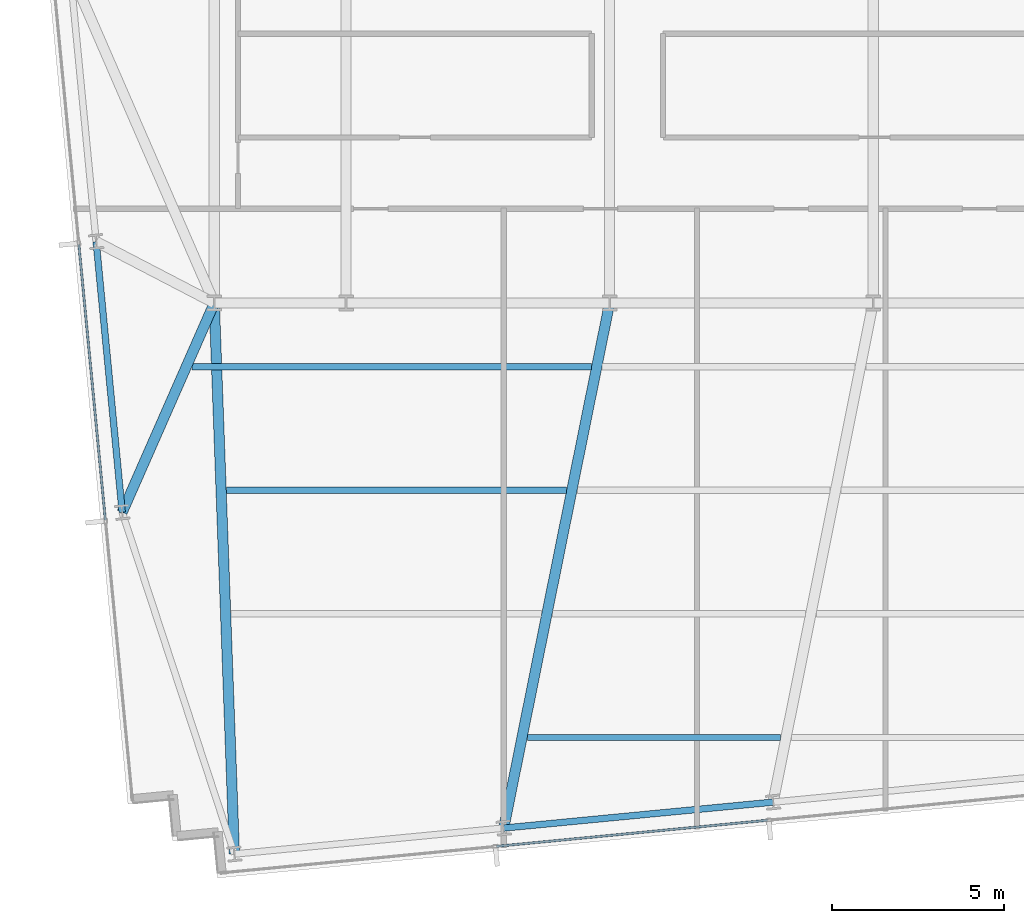
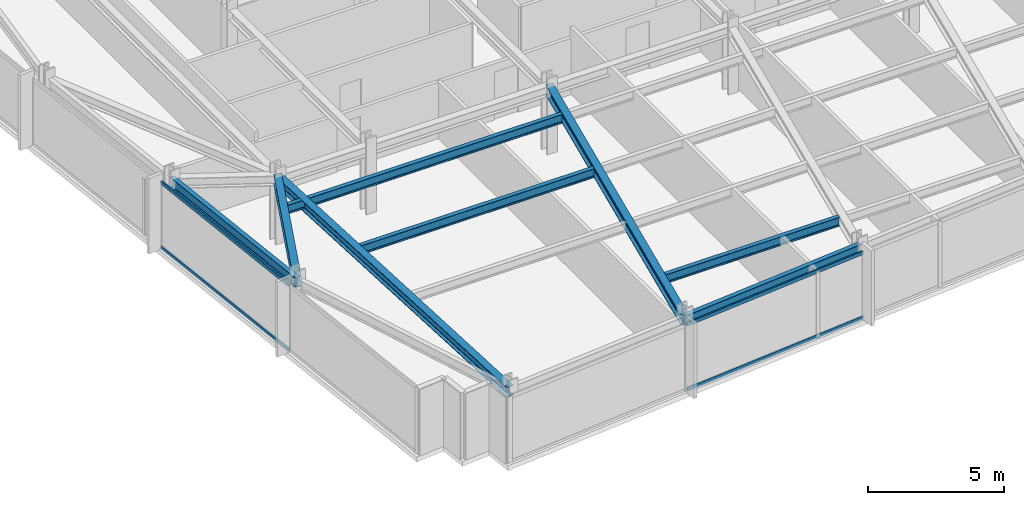
# One storey, part 3 of 32: 8 beams, 4 members, 2 elements without a shape of their own.
"""IFC4 building model written with IfcOpenShell, lengths in metres."""

from ifc_helpers import new_model, si_unit, direction, frame, origin, origin_2d, place, context, subcontext, project, spatial, hollow_rectangle, i_section, extrude, material, material_profile, profile_set, type_object, element, aggregate, save


model = new_model("IFC4")

# Units and contexts
model_context = context("Model", 3, precision=1e-05, world=origin(), true_north=direction((0.0, 1.0)))
body_context = subcontext(model_context, "Body", "Model", "MODEL_VIEW")
ifc_project = project(units=[si_unit("LENGTHUNIT", "METRE"), si_unit("AREAUNIT", "SQUARE_METRE"), si_unit("VOLUMEUNIT", "CUBIC_METRE"), si_unit("PLANEANGLEUNIT", "RADIAN"), si_unit("MASSUNIT", "GRAM", prefix="KILO")], contexts=[model_context])

# Site, building, storey
site_placement = place(None, origin())
site = spatial("IfcSite", under=ifc_project, at=site_placement, CompositionType="ELEMENT")
building_placement = place(site_placement, origin())
building = spatial("IfcBuilding", under=site, at=building_placement, Name="Yelkora Congress Tower", CompositionType="ELEMENT")
storey_placement = place(building_placement, frame((0.0, 0.0, 133.89990234375)))
storey = spatial("IfcBuildingStorey", under=building, at=storey_placement, Name="L36", CompositionType="ELEMENT", Elevation=133.89990234375)

# Beams
ifc_material_1 = material(Name="Steel S355J2", Category="steel")
ifc_material_profile_1 = material_profile(ifc_material_1, i_section(OverallWidth=0.300048828125, OverallDepth=0.449951171875, WebThickness=0.013916015625, FlangeThickness=0.02587890625, FilletRadius=0.027099609375, at=origin_2d()), Name="HEB 450")
ifc_profile_set_1 = profile_set([ifc_material_profile_1], Name="Steel S355J2")
beam_type_1 = type_object("IfcBeamType", Name="BM-GIRD-HEB450", PredefinedType="BEAM", material=ifc_profile_set_1)
beam_1_placement = place(storey_placement, frame((19.785888671875, 9.144287109375, 2.755126953125), z_axis=(-0.03646985294, 0.999334753637, 0.0), x_axis=(-0.999334753637, -0.03646985294, 0.0)))
element("IfcBeam", 1, at=beam_1_placement, inside=storey, type_object=beam_type_1, Name="L36 Primary Frame Girder S01", PredefinedType="BEAM", context=body_context, shape_type="SweptSolid", body=[
    extrude(i_section(OverallWidth=0.300048828125, OverallDepth=0.449951171875, WebThickness=0.013916015625, FlangeThickness=0.02587890625, FilletRadius=0.027099609375, at=origin_2d()), origin(), (0.0, 0.0, 1.0), 16.06640625),
])
beam_2_placement = place(storey_placement, frame((27.635498046875, 9.900146484375, 2.755126953125), z_axis=(0.197625995154, 0.980277494406, 0.0), x_axis=(-0.980277494406, 0.197625995154, 0.0)))
element("IfcBeam", 2, at=beam_2_placement, inside=storey, type_object=beam_type_1, Name="L36 Primary Frame Girder S02", PredefinedType="BEAM", context=body_context, shape_type="SweptSolid", body=[
    extrude(i_section(OverallWidth=0.300048828125, OverallDepth=0.449951171875, WebThickness=0.013916015625, FlangeThickness=0.02587890625, FilletRadius=0.027099609375, at=origin_2d()), origin(), (0.0, 0.0, 1.0), 15.607666015625),
])
beam_3_placement = place(storey_placement, frame((16.5166015625, 19.101806640625, 2.755126953125), z_axis=(0.402759490709, 0.915305846504, 0.0), x_axis=(-0.915305846504, 0.402759490709, 0.0)))
element("IfcBeam", 3, at=beam_3_placement, inside=storey, type_object=beam_type_1, Name="L36 Primary Frame Girder W01", PredefinedType="BEAM", context=body_context, shape_type="SweptSolid", body=[
    extrude(i_section(OverallWidth=0.300048828125, OverallDepth=0.449951171875, WebThickness=0.013916015625, FlangeThickness=0.02587890625, FilletRadius=0.027099609375, at=origin_2d()), origin(), (0.0, 0.0, 1.0), 6.662353515625),
])
ifc_material_profile_2 = material_profile(ifc_material_1, i_section(OverallWidth=0.179931640625, OverallDepth=0.39990234375, WebThickness=0.008544921875, FlangeThickness=0.013427734375, FilletRadius=0.02099609375, at=origin_2d()), Name="IPE 400")
ifc_profile_set_2 = profile_set([ifc_material_profile_2], Name="Steel S355J2")
beam_type_2 = type_object("IfcBeamType", Name="BM-JOIST-IPE400", PredefinedType="JOIST", material=ifc_profile_set_2)
beam_4_placement = place(storey_placement, frame((28.32861328125, 12.54443359375, 2.780029296875), z_axis=(1.0, 0.0, 0.0), x_axis=(0.0, 1.0, 0.0)))
element("IfcBeam", 4, at=beam_4_placement, inside=storey, type_object=beam_type_2, Name="L36 Composite Floor Joist 1", PredefinedType="JOIST", context=body_context, shape_type="SweptSolid", body=[
    extrude(i_section(OverallWidth=0.179931640625, OverallDepth=0.39990234375, WebThickness=0.008544921875, FlangeThickness=0.013427734375, FilletRadius=0.02099609375, at=origin_2d()), origin(), (0.0, 0.0, 1.0), 7.374755859375),
])
beam_5_placement = place(storey_placement, frame((19.55908203125, 19.744384765625, 2.780029296875), z_axis=(1.0, 0.0, 0.0), x_axis=(0.0, 1.0, 0.0)))
element("IfcBeam", 5, at=beam_5_placement, inside=storey, type_object=beam_type_2, Name="L36 Composite Floor Joist 11", PredefinedType="JOIST", context=body_context, shape_type="SweptSolid", body=[
    extrude(i_section(OverallWidth=0.179931640625, OverallDepth=0.39990234375, WebThickness=0.008544921875, FlangeThickness=0.013427734375, FilletRadius=0.02099609375, at=origin_2d()), origin(), (0.0, 0.0, 1.0), 9.901123046875),
])
beam_6_placement = place(storey_placement, frame((18.54345703125, 23.344482421875, 2.780029296875), z_axis=(1.0, 0.0, 0.0), x_axis=(0.0, 1.0, 0.0)))
element("IfcBeam", 6, at=beam_6_placement, inside=storey, type_object=beam_type_2, Name="L36 Composite Floor Joist 18", PredefinedType="JOIST", context=body_context, shape_type="SweptSolid", body=[
    extrude(i_section(OverallWidth=0.179931640625, OverallDepth=0.39990234375, WebThickness=0.008544921875, FlangeThickness=0.013427734375, FilletRadius=0.02099609375, at=origin_2d()), origin(), (0.0, 0.0, 1.0), 11.642333984375),
])
ifc_material_profile_3 = material_profile(ifc_material_1, i_section(OverallWidth=0.18994140625, OverallDepth=0.449951171875, WebThickness=0.009521484375, FlangeThickness=0.0146484375, FilletRadius=0.02099609375, at=origin_2d()), Name="IPE 450")
ifc_profile_set_3 = profile_set([ifc_material_profile_3], Name="Steel S355J2")
beam_type_3 = type_object("IfcBeamType", Name="BM-SPAN-IPE450", PredefinedType="SPANDREL", material=ifc_profile_set_3)
beam_7_placement = place(storey_placement, frame((15.757080078125, 26.990478515625, 2.755126953125), z_axis=(0.09583684824, -0.995397055712, 0.0), x_axis=(0.995397055712, 0.09583684824, 0.0)))
element("IfcBeam", 7, at=beam_7_placement, inside=storey, type_object=beam_type_3, Name="L36 Perimeter Beam 1", PredefinedType="SPANDREL", context=body_context, shape_type="SweptSolid", body=[
    extrude(i_section(OverallWidth=0.18994140625, OverallDepth=0.449951171875, WebThickness=0.009521484375, FlangeThickness=0.0146484375, FilletRadius=0.02099609375, at=origin_2d()), origin(), (0.0, 0.0, 1.0), 7.925048828125),
])
beam_8_placement = place(storey_placement, frame((27.635498046875, 9.900146484375, 2.755126953125), z_axis=(0.995395575667, 0.095852219286, 0.0), x_axis=(-0.095852219286, 0.995395575667, 0.0)))
element("IfcBeam", 8, at=beam_8_placement, inside=storey, type_object=beam_type_3, Name="L36 Perimeter Beam 4", PredefinedType="SPANDREL", context=body_context, shape_type="SweptSolid", body=[
    extrude(i_section(OverallWidth=0.18994140625, OverallDepth=0.449951171875, WebThickness=0.009521484375, FlangeThickness=0.0146484375, FilletRadius=0.02099609375, at=origin_2d()), origin(), (0.0, 0.0, 1.0), 7.8857421875),
])

# Curtain wall, members
ifc_material_2 = material(Name="Anodised aluminium and insulated glass", Category="aluminium")
curtain_wall_type = type_object("IfcCurtainWallType", Name="CW-SYS-B2", PredefinedType="NOTDEFINED", material=ifc_material_2)
curtain_wall_1_placement = place(storey_placement, origin())
curtain_wall_1 = element("IfcCurtainWall", 9, at=curtain_wall_1_placement, inside=storey, type_object=curtain_wall_type, Name="L36 Unitised Curtain Wall 5", PredefinedType="NOTDEFINED")
ifc_material_3 = material(Name="Anodised aluminium 6063-T6", Category="aluminium")
ifc_material_profile_4 = material_profile(ifc_material_3, hollow_rectangle(XDim=0.06494140625, YDim=0.159912109375, WallThickness=0.00390625, at=origin_2d()), Name="ALU 65x160x4")
ifc_profile_set_4 = profile_set([ifc_material_profile_4], Name="Anodised aluminium 6063-T6")
member_type = type_object("IfcMemberType", Name="MEM-TR-B2", PredefinedType="USERDEFINED", material=ifc_profile_set_4)
member_1_placement = place(storey_placement, frame((16.025146484375, 18.8837890625, 0.03271484375), z_axis=(-0.095838228465, 0.995396922823, 0.0), x_axis=(-0.995396922823, -0.095838228465, 0.0)))
member_1 = element("IfcMember", 10, at=member_1_placement, type_object=member_type, Name="CW-B2 transom 2.1", ObjectType="TRANSOM", PredefinedType="USERDEFINED", context=body_context, shape_type="SweptSolid", body=[
    extrude(hollow_rectangle(XDim=0.06494140625, YDim=0.159912109375, WallThickness=0.00390625, at=origin_2d()), origin(), (0.0, 0.0, 1.0), 8.06005859375),
])
member_2_placement = place(storey_placement, frame((16.025146484375, 18.8837890625, 2.947509765625), z_axis=(-0.095838228465, 0.995396922823, 0.0), x_axis=(-0.995396922823, -0.095838228465, 0.0)))
member_2 = element("IfcMember", 11, at=member_2_placement, type_object=member_type, Name="CW-B2 transom 2.2", ObjectType="TRANSOM", PredefinedType="USERDEFINED", context=body_context, shape_type="SweptSolid", body=[
    extrude(hollow_rectangle(XDim=0.06494140625, YDim=0.159912109375, WallThickness=0.00390625, at=origin_2d()), origin(), (0.0, 0.0, 1.0), 8.06005859375),
])
aggregate(curtain_wall_1, [member_1, member_2])

curtain_wall_2_placement = place(storey_placement, origin())
curtain_wall_2 = element("IfcCurtainWall", 12, at=curtain_wall_2_placement, inside=storey, type_object=curtain_wall_type, Name="L36 Unitised Curtain Wall 20", PredefinedType="NOTDEFINED")
member_3_placement = place(storey_placement, frame((35.323974609375, 10.128173828125, 0.03271484375), z_axis=(-0.995397293396, -0.095834379534, 0.0), x_axis=(0.095834379534, -0.995397293396, 0.0)))
member_3 = element("IfcMember", 13, at=member_3_placement, type_object=member_type, Name="CW-B2 transom 6.1", ObjectType="TRANSOM", PredefinedType="USERDEFINED", context=body_context, shape_type="SweptSolid", body=[
    extrude(hollow_rectangle(XDim=0.06494140625, YDim=0.159912109375, WallThickness=0.00390625, at=origin_2d()), origin(), (0.0, 0.0, 1.0), 7.93310546875),
])
member_4_placement = place(storey_placement, frame((35.323974609375, 10.128173828125, 2.947509765625), z_axis=(-0.995397293396, -0.095834379534, 0.0), x_axis=(0.095834379534, -0.995397293396, 0.0)))
member_4 = element("IfcMember", 14, at=member_4_placement, type_object=member_type, Name="CW-B2 transom 6.2", ObjectType="TRANSOM", PredefinedType="USERDEFINED", context=body_context, shape_type="SweptSolid", body=[
    extrude(hollow_rectangle(XDim=0.06494140625, YDim=0.159912109375, WallThickness=0.00390625, at=origin_2d()), origin(), (0.0, 0.0, 1.0), 7.93310546875),
])
aggregate(curtain_wall_2, [member_3, member_4])

save(model, "model.ifc")
